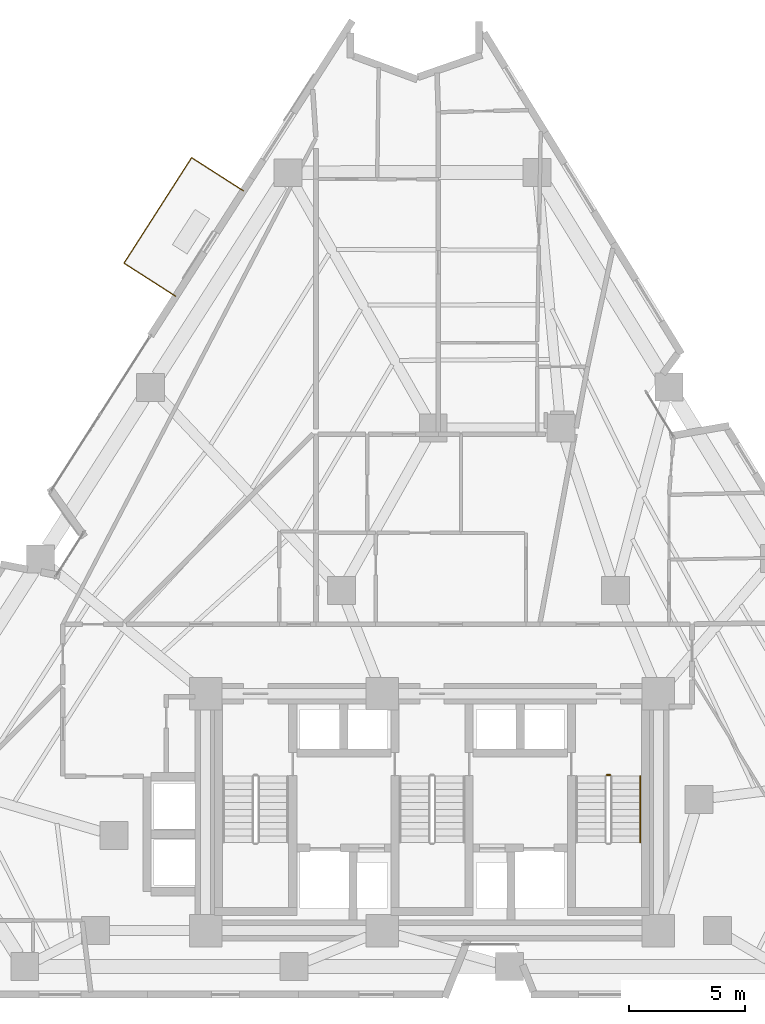
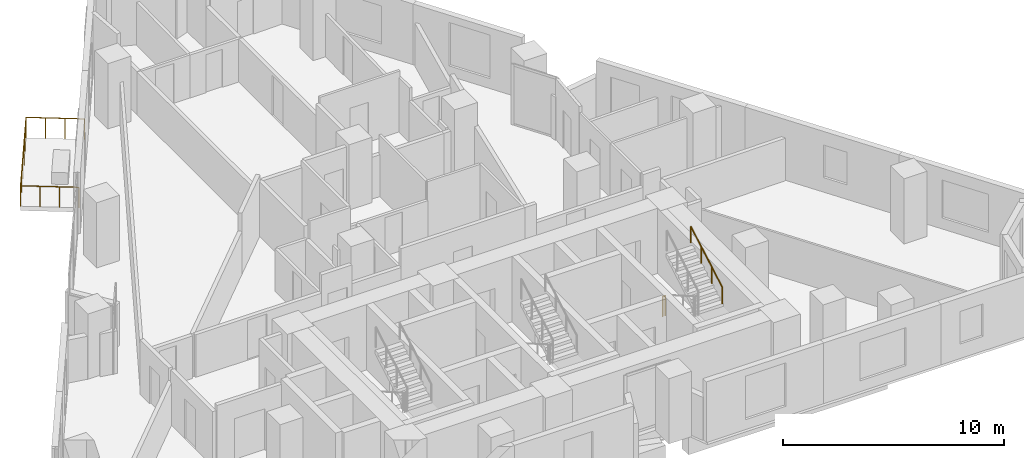
# One storey, part 12 of 13: 3 railings.
"""IFC4 building model written with IfcOpenShell, lengths in metres."""

from ifc_helpers import new_model, si_unit, direction, frame, origin, origin_2d, place, context, subcontext, project, spatial, circle, extrude, material, type_object, element, save


model = new_model("IFC4")

# Units and contexts
model_context = context("Model", 3, precision=1e-05, world=origin(), true_north=direction((0.0, 1.0)))
body_context = subcontext(model_context, "Body", "Model", "MODEL_VIEW")
ifc_project = project(units=[si_unit("LENGTHUNIT", "METRE"), si_unit("AREAUNIT", "SQUARE_METRE"), si_unit("VOLUMEUNIT", "CUBIC_METRE"), si_unit("PLANEANGLEUNIT", "RADIAN"), si_unit("MASSUNIT", "GRAM", prefix="KILO")], contexts=[model_context])

# Site, building, storey
site_placement = place(None, origin())
site = spatial("IfcSite", under=ifc_project, at=site_placement, CompositionType="ELEMENT")
building_placement = place(site_placement, origin())
building = spatial("IfcBuilding", under=site, at=building_placement, Name="Almagre Mirador Tower", CompositionType="ELEMENT")
storey_placement = place(building_placement, frame((0.0, 0.0, 78.60009765625)))
storey = spatial("IfcBuildingStorey", under=building, at=storey_placement, Name="L19", CompositionType="ELEMENT", Elevation=78.60009765625)

# Railings
ifc_material_1 = material(Name="Black anodized aluminium", Category="aluminium")
railing_type_1 = type_object("IfcRailingType", Name="RLG-BAL-1150", PredefinedType="BALUSTRADE", material=ifc_material_1)
railing_1_placement = place(storey_placement, frame((29.177001953125, 36.4130859375, 0.0)))
element("IfcRailing", 1, at=railing_1_placement, inside=storey, type_object=railing_type_1, Name="L19 west balcony balustrade 2", PredefinedType="BALUSTRADE", context=body_context, shape_type="SweptSolid", body=[
    extrude(circle(Radius=0.02392578125, at=origin_2d()), frame((0.0, 0.0, 1.1259765625), z_axis=(-0.842015379792, 0.539453519957, 0.0), x_axis=(-0.539453519957, -0.842015379792, 0.0)), (0.0, 0.0, 1.0), 2.650634765625),
    extrude(circle(Radius=0.02392578125, at=origin_2d()), frame((-2.23193359375, 1.429931640625, 1.1259765625), z_axis=(-0.539438510145, -0.842024995931, 0.0), x_axis=(0.842024995931, -0.539438510145, 0.0)), (0.0, 0.0, 1.0), 5.400146484375),
    extrude(circle(Radius=0.02392578125, at=origin_2d()), frame((-5.14501953125, -3.1171875, 1.1259765625), z_axis=(0.842075537364, -0.539359610439, 0.0), x_axis=(0.539359610439, 0.842075537364, 0.0)), (0.0, 0.0, 1.0), 2.6494140625),
    extrude(circle(Radius=0.02099609375, at=origin_2d()), origin(), (0.0, 0.0, 1.0), 1.101806640625),
    extrude(circle(Radius=0.02099609375, at=origin_2d()), frame((-0.743896484375, 0.4765625, 0.0)), (0.0, 0.0, 1.0), 1.101806640625),
    extrude(circle(Radius=0.02099609375, at=origin_2d()), frame((-1.488037109375, 0.953369140625, 0.0)), (0.0, 0.0, 1.0), 1.101806640625),
    extrude(circle(Radius=0.02099609375, at=origin_2d()), frame((-2.23193359375, 1.429931640625, 0.0)), (0.0, 0.0, 1.0), 1.101806640625),
    extrude(circle(Radius=0.02099609375, at=origin_2d()), frame((-2.814453125, 0.5205078125, 0.0)), (0.0, 0.0, 1.0), 1.101806640625),
    extrude(circle(Radius=0.02099609375, at=origin_2d()), frame((-3.397216796875, -0.388916015625, 0.0)), (0.0, 0.0, 1.0), 1.101806640625),
    extrude(circle(Radius=0.02099609375, at=origin_2d()), frame((-3.979736328125, -1.29833984375, 0.0)), (0.0, 0.0, 1.0), 1.101806640625),
    extrude(circle(Radius=0.02099609375, at=origin_2d()), frame((-4.5625, -2.207763671875, 0.0)), (0.0, 0.0, 1.0), 1.101806640625),
    extrude(circle(Radius=0.02099609375, at=origin_2d()), frame((-5.14501953125, -3.1171875, 0.0)), (0.0, 0.0, 1.0), 1.101806640625),
    extrude(circle(Radius=0.02099609375, at=origin_2d()), frame((-4.4013671875, -3.593505859375, 0.0)), (0.0, 0.0, 1.0), 1.101806640625),
    extrude(circle(Radius=0.02099609375, at=origin_2d()), frame((-3.65771484375, -4.06982421875, 0.0)), (0.0, 0.0, 1.0), 1.101806640625),
    extrude(circle(Radius=0.02099609375, at=origin_2d()), frame((-2.9140625, -4.546142578125, 0.0)), (0.0, 0.0, 1.0), 1.101806640625),
])
ifc_material_2 = material(Name="Painted galvanized steel", Category="steel")
railing_type_2 = type_object("IfcRailingType", Name="RLG-GRD-1100", PredefinedType="GUARDRAIL", material=ifc_material_2)
railing_2_placement = place(storey_placement, frame((44.824951171875, 11.25, 0.0)))
element("IfcRailing", 2, at=railing_2_placement, inside=storey, type_object=railing_type_2, Name="L19 ST-3 stair guard 4", PredefinedType="GUARDRAIL", context=body_context, shape_type="SweptSolid", body=[
    extrude(circle(Radius=0.02392578125, at=origin_2d()), frame((0.0, 0.0, 1.09619140625), z_axis=(1.0, 0.0, 0.0), x_axis=(0.0, 1.0, 0.0)), (0.0, 0.0, 1.0), 0.150146484375),
    extrude(circle(Radius=0.02099609375, at=origin_2d()), origin(), (0.0, 0.0, 1.0), 1.072021484375),
    extrude(circle(Radius=0.02099609375, at=origin_2d()), frame((0.150146484375, 0.0, 0.0)), (0.0, 0.0, 1.0), 1.072021484375),
])
ifc_material_3 = material(Name="Brushed stainless steel", Category="steel")
railing_type_3 = type_object("IfcRailingType", Name="RLG-HND-915", PredefinedType="HANDRAIL", material=ifc_material_3)
railing_3_placement = place(storey_placement, frame((46.27490234375, 8.35009765625, 1.963623046875)))
element("IfcRailing", 3, at=railing_3_placement, inside=storey, type_object=railing_type_3, Name="L19 ST-3 stair handrail 2", PredefinedType="HANDRAIL", context=body_context, shape_type="SweptSolid", body=[
    extrude(circle(Radius=0.02392578125, at=origin_2d()), frame((0.0, 0.0, 0.89111328125), z_axis=(0.0, 0.867226363773, 0.497914082927), x_axis=(-1.0, 0.0, 0.0)), (0.0, 0.0, 1.0), 3.2861328125),
    extrude(circle(Radius=0.02099609375, at=origin_2d()), origin(), (0.0, 0.0, 1.0), 0.866943359375),
    extrude(circle(Radius=0.02099609375, at=origin_2d()), frame((0.0, 0.949951171875, 0.54541015625)), (0.0, 0.0, 1.0), 0.866943359375),
    extrude(circle(Radius=0.02099609375, at=origin_2d()), frame((0.0, 1.89990234375, 1.0908203125)), (0.0, 0.0, 1.0), 0.866943359375),
    extrude(circle(Radius=0.02099609375, at=origin_2d()), frame((0.0, 2.849853515625, 1.63623046875)), (0.0, 0.0, 1.0), 0.866943359375),
])

save(model, "model.ifc")
